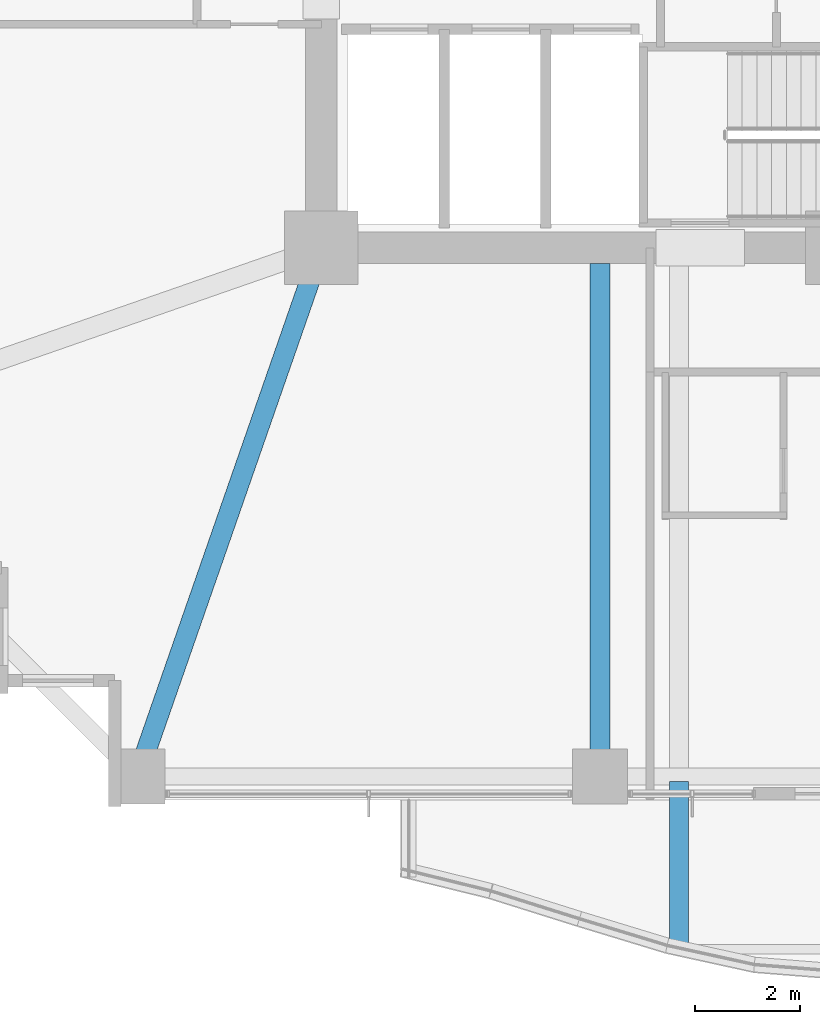
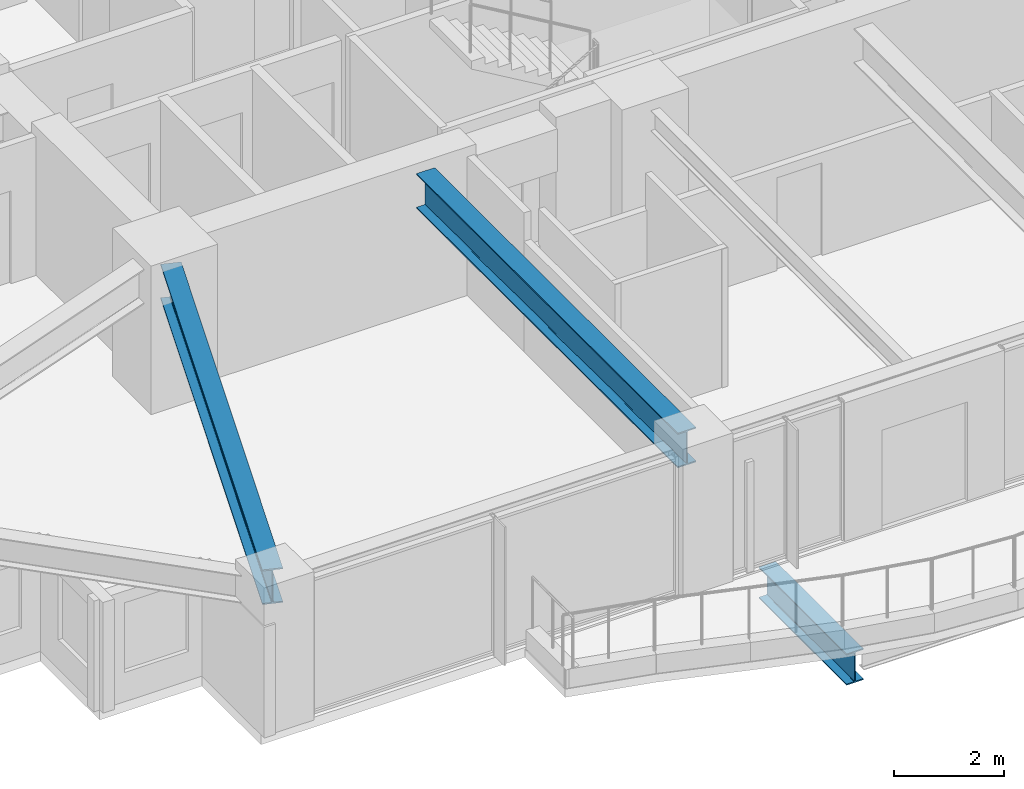
# One storey, part 5 of 38: 3 beams.
"""IFC4 building model written with IfcOpenShell, lengths in metres."""

from ifc_helpers import new_model, si_unit, direction, frame, origin, origin_2d, place, context, subcontext, project, spatial, i_section, extrude, material, material_profile, profile_set, type_object, element, save


model = new_model("IFC4")

# Units and contexts
model_context = context("Model", 3, precision=1e-05, world=origin(), true_north=direction((0.0, 1.0)))
body_context = subcontext(model_context, "Body", "Model", "MODEL_VIEW")
ifc_project = project(units=[si_unit("LENGTHUNIT", "METRE"), si_unit("AREAUNIT", "SQUARE_METRE"), si_unit("VOLUMEUNIT", "CUBIC_METRE"), si_unit("PLANEANGLEUNIT", "RADIAN"), si_unit("MASSUNIT", "GRAM", prefix="KILO")], contexts=[model_context])

# Site, building, storey
site_placement = place(None, origin())
site = spatial("IfcSite", under=ifc_project, at=site_placement, CompositionType="ELEMENT")
building_placement = place(site_placement, origin())
building = spatial("IfcBuilding", under=site, at=building_placement, Name="Kolvaren Belvedere", CompositionType="ELEMENT")
storey_placement = place(building_placement, frame((0.0, 0.0, 98.60009765625)))
storey = spatial("IfcBuildingStorey", under=building, at=storey_placement, Name="L28", CompositionType="ELEMENT", Elevation=98.60009765625)

# Beams
ifc_material_1 = material(Name="Structural steel ASTM A992 Grade 50", Category="steel")
ifc_material_profile_1 = material_profile(ifc_material_1, i_section(OverallWidth=0.35498046875, OverallDepth=0.696044921875, WebThickness=0.015380859375, FlangeThickness=0.02490234375, FilletRadius=0.02197265625, at=origin_2d()), Name="W27X146")
ifc_profile_set_1 = profile_set([ifc_material_profile_1], Name="Structural steel ASTM A992 Grade 50")
beam_type_1 = type_object("IfcBeamType", Name="BM-CANT-BAL", PredefinedType="BEAM", material=ifc_profile_set_1)
beam_1_placement = place(storey_placement, frame((-3.10009765625, -20.044921875, -0.568115234375), z_axis=(0.0, -1.0, 0.0), x_axis=(1.0, 0.0, 0.0)))
element("IfcBeam", 1, at=beam_1_placement, inside=storey, type_object=beam_type_1, Name="L28 Planted Balcony Cantilever BAL-S-1", PredefinedType="BEAM", context=body_context, shape_type="SweptSolid", body=[
    extrude(i_section(OverallWidth=0.35498046875, OverallDepth=0.696044921875, WebThickness=0.015380859375, FlangeThickness=0.02490234375, FilletRadius=0.02197265625, at=origin_2d()), origin(), (0.0, 0.0, 1.0), 3.190673828125),
])
ifc_material_2 = material(Name="Structural steel ASTM A992 Grade 50", Category="steel")
ifc_material_profile_2 = material_profile(ifc_material_2, i_section(OverallWidth=0.381103515625, OverallDepth=0.77294921875, WebThickness=0.0166015625, FlangeThickness=0.027099609375, FilletRadius=0.02392578125, at=origin_2d()), Name="W30X173")
ifc_profile_set_2 = profile_set([ifc_material_profile_2], Name="Structural steel ASTM A992 Grade 50")
beam_type_2 = type_object("IfcBeamType", Name="BM-GIRD-W30X173", PredefinedType="BEAM", material=ifc_profile_set_2)
beam_2_placement = place(storey_placement, frame((-4.60009765625, -10.199951171875, 2.693359375), z_axis=(0.0, -1.0, 0.0), x_axis=(1.0, 0.0, 0.0)))
element("IfcBeam", 2, at=beam_2_placement, inside=storey, type_object=beam_type_2, Name="L28 South Radial Girder M", PredefinedType="BEAM", context=body_context, shape_type="SweptSolid", body=[
    extrude(i_section(OverallWidth=0.381103515625, OverallDepth=0.77294921875, WebThickness=0.0166015625, FlangeThickness=0.027099609375, FilletRadius=0.02392578125, at=origin_2d()), origin(), (0.0, 0.0, 1.0), 9.513916015625),
])
beam_3_placement = place(storey_placement, frame((-10.080810546875, -10.41943359375, 2.693359375), z_axis=(-0.328880894453, -0.944371408538, 0.0), x_axis=(0.944371408538, -0.328880894453, 0.0)))
element("IfcBeam", 3, at=beam_3_placement, inside=storey, type_object=beam_type_2, Name="L28 Corner Core-to-Perimeter Girder CC1-S1", PredefinedType="BEAM", context=body_context, shape_type="SweptSolid", body=[
    extrude(i_section(OverallWidth=0.381103515625, OverallDepth=0.77294921875, WebThickness=0.0166015625, FlangeThickness=0.027099609375, FilletRadius=0.02392578125, at=origin_2d()), origin(), (0.0, 0.0, 1.0), 9.882080078125),
])

save(model, "model.ifc")
